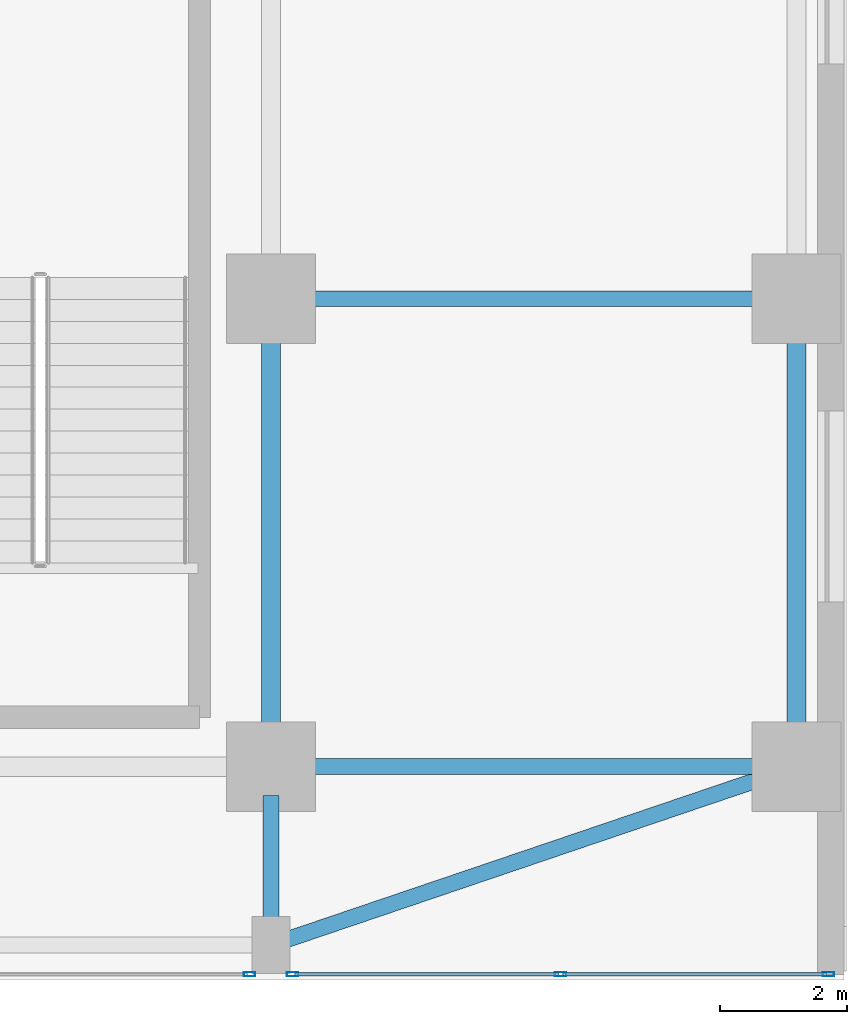
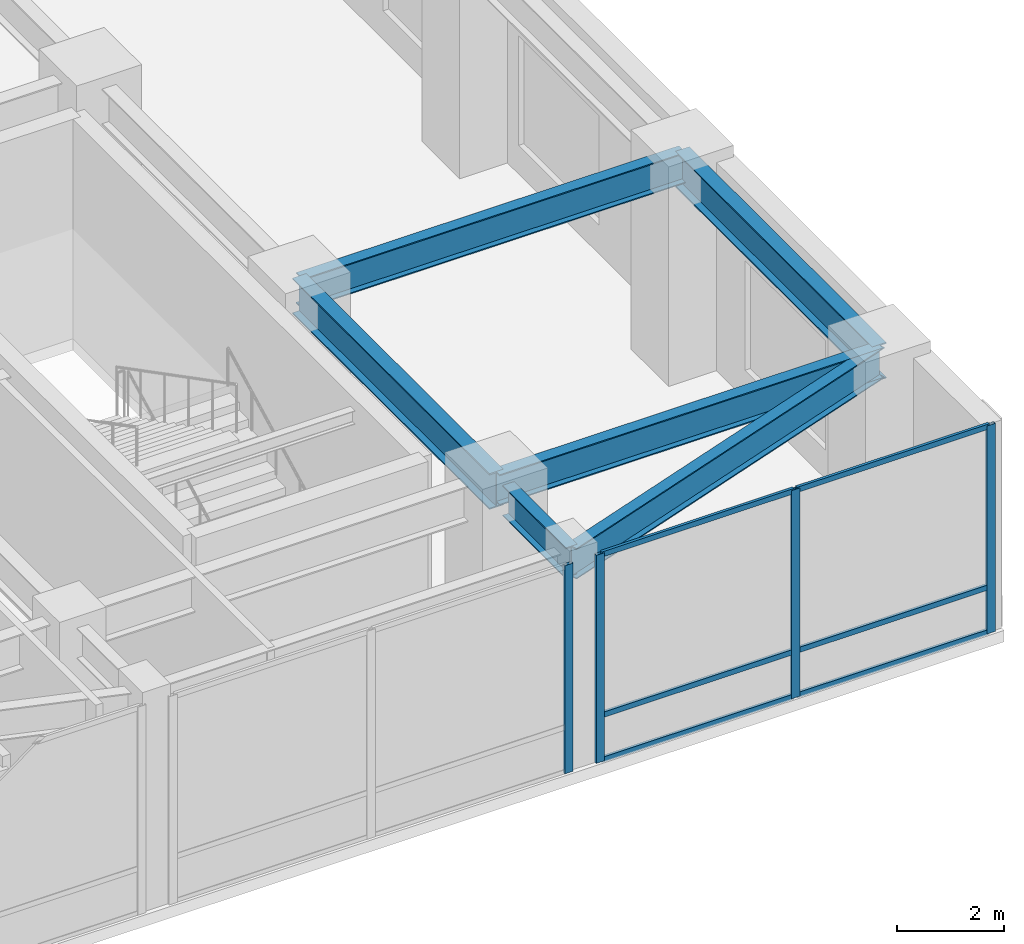
# One storey, part 24 of 39: 10 members, 6 beams, 2 elements without a shape of their own.
"""IFC4 building model written with IfcOpenShell, lengths in metres."""

from ifc_helpers import new_model, si_unit, direction, frame, origin, origin_2d, place, context, subcontext, project, spatial, hollow_rectangle, i_section, extrude, source, transform, mapped, material, layer, layer_set, material_profile, profile_set, type_object, type_shapes, element, aggregate, save


model = new_model("IFC4")

# Units and contexts
model_context = context("Model", 3, precision=1e-05, world=origin(), true_north=direction((0.0, 1.0)))
body_context = subcontext(model_context, "Body", "Model", "MODEL_VIEW")
ifc_project = project(units=[si_unit("LENGTHUNIT", "METRE"), si_unit("AREAUNIT", "SQUARE_METRE"), si_unit("VOLUMEUNIT", "CUBIC_METRE"), si_unit("PLANEANGLEUNIT", "RADIAN"), si_unit("MASSUNIT", "GRAM", prefix="KILO")], contexts=[model_context])

# Site, building, storey
site_placement = place(None, origin())
site = spatial("IfcSite", under=ifc_project, at=site_placement, CompositionType="ELEMENT")
building_placement = place(site_placement, origin())
building = spatial("IfcBuilding", under=site, at=building_placement, Name="Tolvann Quenvar Hotel", CompositionType="ELEMENT")
storey_placement = place(building_placement, frame((0.0, 0.0, 11.0)))
storey = spatial("IfcBuildingStorey", under=building, at=storey_placement, Name="L02", CompositionType="ELEMENT", Elevation=11.0)

# Beams
ifc_material_1 = material(Name="Steel Grade 350", Category="steel")
ifc_material_profile_1 = material_profile(ifc_material_1, i_section(OverallWidth=0.300048828125, OverallDepth=0.81591796875, WebThickness=0.010009765625, FlangeThickness=0.028076171875, at=origin_2d()), Name="800WB192")
ifc_profile_set_1 = profile_set([ifc_material_profile_1], Name="Steel Grade 350")
beam_type_1 = type_object("IfcBeamType", Name="BM_GIRD_800WB192", PredefinedType="BEAM", material=ifc_profile_set_1)
shared_shape_1 = source(origin(), body_context, "Body", "SweptSolid", [
    extrude(i_section(OverallWidth=0.300048828125, OverallDepth=0.81591796875, WebThickness=0.010009765625, FlangeThickness=0.028076171875, at=origin_2d()), origin(), (0.0, 0.0, 1.0), 7.349853515625),
])
type_shapes(beam_type_1, [shared_shape_1])
for number, where, z_axis, x_axis, name in (
    (1, (56.39990234375, 0.85009765625, 4.33203125), (0.0, 1.0, 0.0), (-1.0, 0.0, 0.0), "BM-L02-NS-J-0"),
    (2, (64.64990234375, 0.85009765625, 4.33203125), (0.0, 1.0, 0.0), (-1.0, 0.0, 0.0), "BM-L02-NS-K-0"),
):
    element("IfcBeam", number, at=place(storey_placement, frame(where, z_axis=z_axis, x_axis=x_axis)), inside=storey, type_object=beam_type_1, Name=name, PredefinedType="BEAM", context=body_context, shape_type="MappedRepresentation", body=[
        mapped(shared_shape_1, transform((0.0, 0.0, 0.0), x_axis=(1.0, 0.0, 0.0), y_axis=(0.0, 1.0, 0.0), z_axis=(0.0, 0.0, 1.0), scale=1.0)),
    ])
ifc_material_profile_2 = material_profile(ifc_material_1, i_section(OverallWidth=0.25, OverallDepth=0.699951171875, WebThickness=0.010009765625, FlangeThickness=0.02392578125, at=origin_2d()), Name="700WB150")
ifc_profile_set_2 = profile_set([ifc_material_profile_2], Name="Steel Grade 350")
beam_type_2 = type_object("IfcBeamType", Name="BM_GIRD_700WB150", PredefinedType="BEAM", material=ifc_profile_set_2)
shared_shape_2 = source(origin(), body_context, "Body", "SweptSolid", [
    extrude(i_section(OverallWidth=0.25, OverallDepth=0.699951171875, WebThickness=0.010009765625, FlangeThickness=0.02392578125, at=origin_2d()), origin(), (0.0, 0.0, 1.0), 8.25),
])
for number, where, z_axis, x_axis, name in (
    (3, (56.39990234375, 0.85009765625, 4.389892578125), (1.0, 0.0, 0.0), (0.0, 1.0, 0.0), "BM-L02-GE3-1"),
    (4, (56.39990234375, 8.199951171875, 4.389892578125), (1.0, 0.0, 0.0), (0.0, 1.0, 0.0), "BM-L02-GE3-2"),
):
    element("IfcBeam", number, at=place(storey_placement, frame(where, z_axis=z_axis, x_axis=x_axis)), inside=storey, type_object=beam_type_2, Name=name, PredefinedType="BEAM", context=body_context, shape_type="MappedRepresentation", body=[
        mapped(shared_shape_2, transform((0.0, 0.0, 0.0), x_axis=(1.0, 0.0, 0.0), y_axis=(0.0, 1.0, 0.0), z_axis=(0.0, 0.0, 1.0), scale=1.0)),
    ])
shared_shape_3 = source(origin(), body_context, "Body", "SweptSolid", [
    extrude(i_section(OverallWidth=0.25, OverallDepth=0.699951171875, WebThickness=0.010009765625, FlangeThickness=0.02392578125, at=origin_2d()), origin(), (0.0, 0.0, 1.0), 2.349853515625),
])
beam_1_placement = place(storey_placement, frame((56.39990234375, -1.949951171875, 4.389892578125), z_axis=(0.0, 1.0, 0.0), x_axis=(-1.0, 0.0, 0.0)))
element("IfcBeam", 5, at=beam_1_placement, inside=storey, type_object=beam_type_2, Name="BM-L02-NSS-J", PredefinedType="BEAM", context=body_context, shape_type="MappedRepresentation", body=[
    mapped(shared_shape_3, transform((0.0, 0.0, 0.0), x_axis=(1.0, 0.0, 0.0), y_axis=(0.0, 1.0, 0.0), z_axis=(0.0, 0.0, 1.0), scale=1.0)),
])
shared_shape_4 = source(origin(), body_context, "Body", "SweptSolid", [
    extrude(i_section(OverallWidth=0.25, OverallDepth=0.699951171875, WebThickness=0.010009765625, FlangeThickness=0.02392578125, at=origin_2d()), origin(), (0.0, 0.0, 1.0), 8.712158203125),
])
type_shapes(beam_type_2, [shared_shape_2, shared_shape_3, shared_shape_4])
beam_2_placement = place(storey_placement, frame((56.39990234375, -1.949951171875, 4.389892578125), z_axis=(0.946945808453, 0.32139327288, 0.0), x_axis=(-0.32139327288, 0.946945808453, 0.0)))
element("IfcBeam", 6, at=beam_2_placement, inside=storey, type_object=beam_type_2, Name="BM-L02-EWS-E2", PredefinedType="BEAM", context=body_context, shape_type="MappedRepresentation", body=[
    mapped(shared_shape_4, transform((0.0, 0.0, 0.0), x_axis=(1.0, 0.0, 0.0), y_axis=(0.0, 1.0, 0.0), z_axis=(0.0, 0.0, 1.0), scale=1.0)),
])

# Curtain wall, member
ifc_material_2 = material(Name="Thermally broken anodised architectural aluminium 6063-T6 and laminated low-E glass", Category="aluminium")
ifc_layer = layer(ifc_material_2, 0.179931640625)
ifc_layer_set = layer_set([ifc_layer], Name="Thermally broken anodised architectural aluminium 6063-T6 and laminated low-E glass")
curtain_wall_type = type_object("IfcCurtainWallType", Name="CW_SYS_BALL_02", PredefinedType="USERDEFINED", material=ifc_layer_set)
curtain_wall_1_placement = place(storey_placement, origin())
curtain_wall_1 = element("IfcCurtainWall", 7, at=curtain_wall_1_placement, inside=storey, type_object=curtain_wall_type, Name="Curtain Wall CW-BALL-02 (CWR-L02-E04-S2)", ObjectType="UNITISED CURTAIN WALL", PredefinedType="USERDEFINED")
ifc_material_3 = material(Name="Anodised architectural aluminium 6063-T6 framing", Category="aluminium")
ifc_material_profile_3 = material_profile(ifc_material_3, hollow_rectangle(XDim=0.070068359375, YDim=0.179931640625, WallThickness=0.00390625, at=origin_2d()), Name="180x70x4RHS")
ifc_profile_set_3 = profile_set([ifc_material_profile_3], Name="Anodised architectural aluminium 6063-T6 framing")
member_type_1 = type_object("IfcMemberType", Name="CW_MULL_180x70", PredefinedType="MULLION", material=ifc_profile_set_3)
shared_shape_5 = source(origin(), body_context, "Body", "SweptSolid", [
    extrude(hollow_rectangle(XDim=0.070068359375, YDim=0.179931640625, WallThickness=0.00390625, at=origin_2d()), origin(), (0.0, 0.0, 1.0), 4.739990234375),
])
type_shapes(member_type_1, [shared_shape_5])
member_1_placement = place(storey_placement, frame((56.06103515625, -2.409912109375, 0.0), z_axis=(0.0, 0.0, 1.0), x_axis=(0.0, 1.0, 0.0)))
member_1 = element("IfcMember", 8, at=member_1_placement, type_object=member_type_1, Name="CW-BALL-02 mullion 3", PredefinedType="MULLION", context=body_context, shape_type="MappedRepresentation", body=[
    mapped(shared_shape_5, transform((0.0, 0.0, 0.0), x_axis=(1.0, 0.0, 0.0), y_axis=(0.0, 1.0, 0.0), z_axis=(0.0, 0.0, 1.0), scale=1.0)),
])
aggregate(curtain_wall_1, [member_1])

# Curtain wall, members
curtain_wall_2_placement = place(storey_placement, origin())
curtain_wall_2 = element("IfcCurtainWall", 9, at=curtain_wall_2_placement, inside=storey, type_object=curtain_wall_type, Name="Curtain Wall CW-BALL-02 (CWR-L02-E04-S3)", ObjectType="UNITISED CURTAIN WALL", PredefinedType="USERDEFINED")
member_2_placement = place(storey_placement, frame((56.739013671875, -2.409912109375, 0.0), z_axis=(0.0, 0.0, 1.0), x_axis=(0.0, 1.0, 0.0)))
member_2 = element("IfcMember", 10, at=member_2_placement, type_object=member_type_1, Name="CW-BALL-02 mullion 1", PredefinedType="MULLION", context=body_context, shape_type="MappedRepresentation", body=[
    mapped(shared_shape_5, transform((0.0, 0.0, 0.0), x_axis=(1.0, 0.0, 0.0), y_axis=(0.0, 1.0, 0.0), z_axis=(0.0, 0.0, 1.0), scale=1.0)),
])
member_3_placement = place(storey_placement, frame((60.947021484375, -2.409912109375, 0.0), z_axis=(0.0, 0.0, 1.0), x_axis=(0.0, 1.0, 0.0)))
member_3 = element("IfcMember", 11, at=member_3_placement, type_object=member_type_1, Name="CW-BALL-02 mullion 2", PredefinedType="MULLION", context=body_context, shape_type="MappedRepresentation", body=[
    mapped(shared_shape_5, transform((0.0, 0.0, 0.0), x_axis=(1.0, 0.0, 0.0), y_axis=(0.0, 1.0, 0.0), z_axis=(0.0, 0.0, 1.0), scale=1.0)),
])
member_4_placement = place(storey_placement, frame((65.155029296875, -2.409912109375, 0.0), z_axis=(0.0, 0.0, 1.0), x_axis=(0.0, 1.0, 0.0)))
member_4 = element("IfcMember", 12, at=member_4_placement, type_object=member_type_1, Name="CW-BALL-02 mullion 3", PredefinedType="MULLION", context=body_context, shape_type="MappedRepresentation", body=[
    mapped(shared_shape_5, transform((0.0, 0.0, 0.0), x_axis=(1.0, 0.0, 0.0), y_axis=(0.0, 1.0, 0.0), z_axis=(0.0, 0.0, 1.0), scale=1.0)),
])
ifc_material_profile_4 = material_profile(ifc_material_3, hollow_rectangle(XDim=0.06005859375, YDim=0.1201171875, WallThickness=0.00341796875, at=origin_2d()), Name="120x60x3.5RHS")
ifc_profile_set_4 = profile_set([ifc_material_profile_4], Name="Anodised architectural aluminium 6063-T6 framing")
member_type_2 = type_object("IfcMemberType", Name="CW_TRAN_120x60", PredefinedType="USERDEFINED", material=ifc_profile_set_4)
shared_shape_6 = source(origin(), body_context, "Body", "SweptSolid", [
    extrude(hollow_rectangle(XDim=0.06005859375, YDim=0.1201171875, WallThickness=0.00341796875, at=origin_2d()), origin(), (0.0, 0.0, 1.0), 4.13818359375),
])
type_shapes(member_type_2, [shared_shape_6])
member_5_placement = place(storey_placement, frame((56.77392578125, -2.409912109375, 0.030029296875), z_axis=(1.0, 0.0, 0.0), x_axis=(0.0, 1.0, 0.0)))
member_5 = element("IfcMember", 13, at=member_5_placement, type_object=member_type_2, Name="CW-BALL-02 transom 1.1", ObjectType="TRANSOM", PredefinedType="USERDEFINED", context=body_context, shape_type="MappedRepresentation", body=[
    mapped(shared_shape_6, transform((0.0, 0.0, 0.0), x_axis=(1.0, 0.0, 0.0), y_axis=(0.0, 1.0, 0.0), z_axis=(0.0, 0.0, 1.0), scale=1.0)),
])
member_6_placement = place(storey_placement, frame((56.77392578125, -2.409912109375, 1.050048828125), z_axis=(1.0, 0.0, 0.0), x_axis=(0.0, 1.0, 0.0)))
member_6 = element("IfcMember", 14, at=member_6_placement, type_object=member_type_2, Name="CW-BALL-02 transom 1.2", ObjectType="TRANSOM", PredefinedType="USERDEFINED", context=body_context, shape_type="MappedRepresentation", body=[
    mapped(shared_shape_6, transform((0.0, 0.0, 0.0), x_axis=(1.0, 0.0, 0.0), y_axis=(0.0, 1.0, 0.0), z_axis=(0.0, 0.0, 1.0), scale=1.0)),
])
member_7_placement = place(storey_placement, frame((56.77392578125, -2.409912109375, 4.7099609375), z_axis=(1.0, 0.0, 0.0), x_axis=(0.0, 1.0, 0.0)))
member_7 = element("IfcMember", 15, at=member_7_placement, type_object=member_type_2, Name="CW-BALL-02 transom 1.3", ObjectType="TRANSOM", PredefinedType="USERDEFINED", context=body_context, shape_type="MappedRepresentation", body=[
    mapped(shared_shape_6, transform((0.0, 0.0, 0.0), x_axis=(1.0, 0.0, 0.0), y_axis=(0.0, 1.0, 0.0), z_axis=(0.0, 0.0, 1.0), scale=1.0)),
])
member_8_placement = place(storey_placement, frame((60.98193359375, -2.409912109375, 0.030029296875), z_axis=(1.0, 0.0, 0.0), x_axis=(0.0, 1.0, 0.0)))
member_8 = element("IfcMember", 16, at=member_8_placement, type_object=member_type_2, Name="CW-BALL-02 transom 2.1", ObjectType="TRANSOM", PredefinedType="USERDEFINED", context=body_context, shape_type="MappedRepresentation", body=[
    mapped(shared_shape_6, transform((0.0, 0.0, 0.0), x_axis=(1.0, 0.0, 0.0), y_axis=(0.0, 1.0, 0.0), z_axis=(0.0, 0.0, 1.0), scale=1.0)),
])
member_9_placement = place(storey_placement, frame((60.98193359375, -2.409912109375, 1.050048828125), z_axis=(1.0, 0.0, 0.0), x_axis=(0.0, 1.0, 0.0)))
member_9 = element("IfcMember", 17, at=member_9_placement, type_object=member_type_2, Name="CW-BALL-02 transom 2.2", ObjectType="TRANSOM", PredefinedType="USERDEFINED", context=body_context, shape_type="MappedRepresentation", body=[
    mapped(shared_shape_6, transform((0.0, 0.0, 0.0), x_axis=(1.0, 0.0, 0.0), y_axis=(0.0, 1.0, 0.0), z_axis=(0.0, 0.0, 1.0), scale=1.0)),
])
member_10_placement = place(storey_placement, frame((60.98193359375, -2.409912109375, 4.7099609375), z_axis=(1.0, 0.0, 0.0), x_axis=(0.0, 1.0, 0.0)))
member_10 = element("IfcMember", 18, at=member_10_placement, type_object=member_type_2, Name="CW-BALL-02 transom 2.3", ObjectType="TRANSOM", PredefinedType="USERDEFINED", context=body_context, shape_type="MappedRepresentation", body=[
    mapped(shared_shape_6, transform((0.0, 0.0, 0.0), x_axis=(1.0, 0.0, 0.0), y_axis=(0.0, 1.0, 0.0), z_axis=(0.0, 0.0, 1.0), scale=1.0)),
])
aggregate(curtain_wall_2, [member_2, member_3, member_4, member_5, member_6, member_7, member_8, member_9, member_10])

save(model, "model.ifc")
